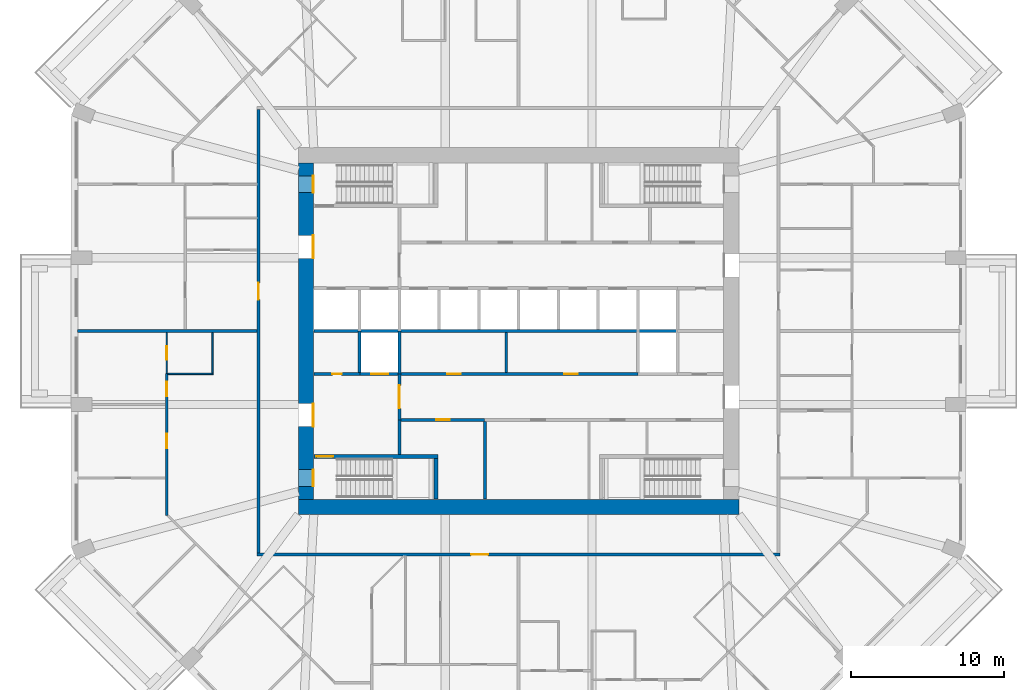
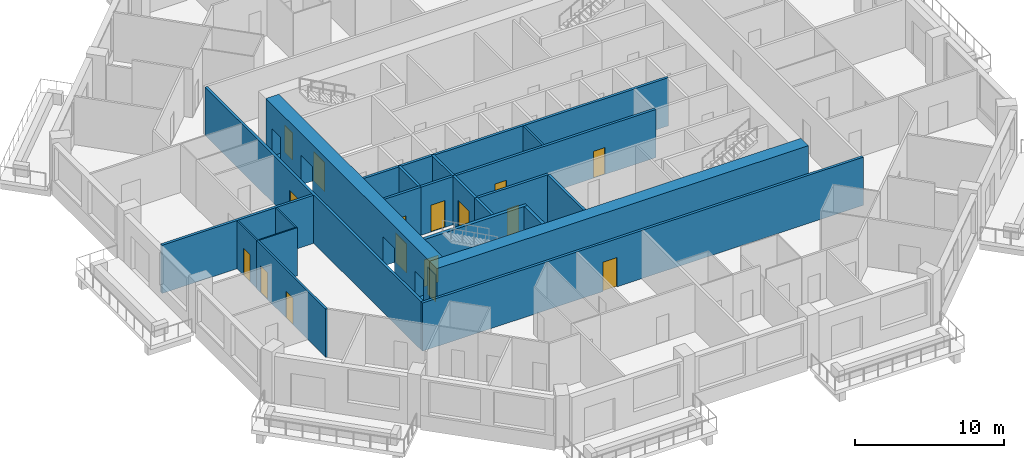
# One storey, part 4 of 13: 22 walls, 16 doors, 16 openings.
"""IFC4 building model written with IfcOpenShell, lengths in metres."""

from ifc_helpers import new_model, si_unit, direction, frame, frame_2d, origin, place, context, subcontext, project, spatial, rectangle, extrude, material, layer, layer_set, type_object, element, fill, save


model = new_model("IFC4")

# Units and contexts
model_context = context("Model", 3, precision=1e-05, world=origin(), true_north=direction((0.0, 1.0)))
body_context = subcontext(model_context, "Body", "Model", "MODEL_VIEW")
ifc_project = project(units=[si_unit("LENGTHUNIT", "METRE"), si_unit("AREAUNIT", "SQUARE_METRE"), si_unit("VOLUMEUNIT", "CUBIC_METRE"), si_unit("PLANEANGLEUNIT", "RADIAN"), si_unit("MASSUNIT", "GRAM", prefix="KILO")], contexts=[model_context])

# Site, building, storey
site_placement = place(None, origin())
site = spatial("IfcSite", under=ifc_project, at=site_placement, CompositionType="ELEMENT")
building_placement = place(site_placement, origin())
building = spatial("IfcBuilding", under=site, at=building_placement, Name="Msitu Wima Residences", CompositionType="ELEMENT")
storey_placement = place(building_placement, frame((0.0, 0.0, 46.5)))
storey = spatial("IfcBuildingStorey", under=building, at=storey_placement, Name="L10", CompositionType="ELEMENT", Elevation=46.5)

# Wall
ifc_material_1 = material(Name="Concrete C80/95", Category="concrete")
ifc_layer_1 = layer(ifc_material_1, 1.0)
ifc_layer_set_1 = layer_set([ifc_layer_1], Name="Concrete C80/95")
wall_type_1 = type_object("IfcWallType", Name="Core wall CW1000 C80/95", PredefinedType="SHEAR", material=ifc_layer_set_1)
wall_1_placement = place(storey_placement, frame((-14.39990234375, -11.5, 0.0), z_axis=(0.0, 0.0, 1.0), x_axis=(1.0, 0.0, 0.0)))
element("IfcWall", 1, at=wall_1_placement, inside=storey, type_object=wall_type_1, Name="Core wall", PredefinedType="SHEAR", context=body_context, shape_type="SweptSolid", body=[
    extrude(rectangle(XDim=28.7998046875, YDim=1.0, at=frame_2d((14.39990234375, 0.0))), origin(), (0.0, 0.0, 1.0), 4.199951171875),
])

# Wall, openings, doors
wall_2_placement = place(storey_placement, frame((-13.89990234375, -11.0, 0.0), z_axis=(0.0, 0.0, 1.0), x_axis=(0.0, 1.0, 0.0)))
wall_2 = element("IfcWall", 2, at=wall_2_placement, inside=storey, type_object=wall_type_1, Name="Core wall", PredefinedType="SHEAR", context=body_context, shape_type="SweptSolid", body=[
    extrude(rectangle(XDim=22.0, YDim=1.0, at=frame_2d((11.0, 0.0))), origin(), (0.0, 0.0, 1.0), 4.199951171875),
])
opening_1_placement = place(wall_2_placement, frame((20.050048828125, 0.0, 0.0)))
opening_1 = element("IfcOpeningElement", 3, at=opening_1_placement, cuts=wall_2, Name="Opening D08-10.035", PredefinedType="OPENING", context=body_context, shape_type="SweptSolid", body=[
    extrude(rectangle(XDim=1.10009765625, YDim=2.199951171875, at=frame_2d((0.550048828125, 1.10009765625))), frame((0.0, 0.510009765625, 0.0), z_axis=(0.0, -1.0, 0.0), x_axis=(1.0, 0.0, 0.0)), (0.0, 0.0, 1.0), 1.02001953125),
])
opening_2_placement = place(wall_2_placement, frame((0.85009765625, 0.0, 0.0)))
opening_2 = element("IfcOpeningElement", 4, at=opening_2_placement, cuts=wall_2, Name="Opening D08-10.037", PredefinedType="OPENING", context=body_context, shape_type="SweptSolid", body=[
    extrude(rectangle(XDim=1.10009765625, YDim=2.199951171875, at=frame_2d((0.550048828125, 1.10009765625))), frame((0.0, 0.510009765625, 0.0), z_axis=(0.0, -1.0, 0.0), x_axis=(1.0, 0.0, 0.0)), (0.0, 0.0, 1.0), 1.02001953125),
])
opening_3_placement = place(wall_2_placement, frame((15.75, 0.0, 0.0)))
opening_3 = element("IfcOpeningElement", 5, at=opening_3_placement, cuts=wall_2, Name="Opening D08-10.016", PredefinedType="OPENING", context=body_context, shape_type="SweptSolid", body=[
    extrude(rectangle(XDim=1.5, YDim=2.39990234375, at=frame_2d((0.75, 1.199951171875))), frame((0.0, 0.510009765625, 0.0), z_axis=(0.0, -1.0, 0.0), x_axis=(1.0, 0.0, 0.0)), (0.0, 0.0, 1.0), 1.02001953125),
])
opening_4_placement = place(wall_2_placement, frame((4.75, 0.0, 0.0)))
opening_4 = element("IfcOpeningElement", 6, at=opening_4_placement, cuts=wall_2, Name="Opening D08-10.018", PredefinedType="OPENING", context=body_context, shape_type="SweptSolid", body=[
    extrude(rectangle(XDim=1.5, YDim=2.39990234375, at=frame_2d((0.75, 1.199951171875))), frame((0.0, 0.510009765625, 0.0), z_axis=(0.0, -1.0, 0.0), x_axis=(1.0, 0.0, 0.0)), (0.0, 0.0, 1.0), 1.02001953125),
])
ifc_material_2 = material(Name="Steel framed glazed door, fire resisting", Category="steel")
door_type_1 = type_object("IfcDoorType", Name="Lobby door D07 1500x2400", OperationType="DOUBLE_DOOR_SINGLE_SWING", PredefinedType="DOOR", material=ifc_material_2)
door_1_placement = place(opening_3_placement, origin())
door_1 = element("IfcDoor", 7, at=door_1_placement, inside=storey, type_object=door_type_1, Name="Lobby door", OperationType="DOUBLE_DOOR_SINGLE_SWING", OverallHeight=2.39990234375, OverallWidth=1.5, PredefinedType="DOOR", context=body_context, shape_type="SweptSolid", body=[
    extrude(rectangle(XDim=1.5, YDim=2.39990234375, at=frame_2d((0.75, 1.199951171875))), frame((0.0, -0.44482421875, 0.0), z_axis=(0.0, -1.0, 0.0), x_axis=(1.0, 0.0, 0.0)), (0.0, 0.0, 1.0), 0.050048828125),
])
fill(opening_3, door_1)
door_2_placement = place(opening_4_placement, origin())
door_2 = element("IfcDoor", 8, at=door_2_placement, inside=storey, type_object=door_type_1, Name="Lobby door", OperationType="DOUBLE_DOOR_SINGLE_SWING", OverallHeight=2.39990234375, OverallWidth=1.5, PredefinedType="DOOR", context=body_context, shape_type="SweptSolid", body=[
    extrude(rectangle(XDim=1.5, YDim=2.39990234375, at=frame_2d((0.75, 1.199951171875))), frame((0.0, -0.44482421875, 0.0), z_axis=(0.0, -1.0, 0.0), x_axis=(1.0, 0.0, 0.0)), (0.0, 0.0, 1.0), 0.050048828125),
])
fill(opening_4, door_2)
ifc_material_3 = material(Name="Steel door, fire resisting, panic bar", Category="steel")
door_type_2 = type_object("IfcDoorType", Name="Stair door D06 1100x2200", OperationType="SINGLE_SWING_LEFT", PredefinedType="DOOR", material=ifc_material_3)
door_3_placement = place(opening_1_placement, origin())
door_3 = element("IfcDoor", 9, at=door_3_placement, inside=storey, type_object=door_type_2, Name="Stair door", OperationType="SINGLE_SWING_RIGHT", OverallHeight=2.199951171875, OverallWidth=1.10009765625, PredefinedType="DOOR", context=body_context, shape_type="SweptSolid", body=[
    extrude(rectangle(XDim=1.10009765625, YDim=2.199951171875, at=frame_2d((0.550048828125, 1.10009765625))), frame((0.0, -0.44482421875, 0.0), z_axis=(0.0, -1.0, 0.0), x_axis=(1.0, 0.0, 0.0)), (0.0, 0.0, 1.0), 0.050048828125),
])
fill(opening_1, door_3)
door_4_placement = place(opening_2_placement, origin())
door_4 = element("IfcDoor", 10, at=door_4_placement, inside=storey, type_object=door_type_2, Name="Stair door", OperationType="SINGLE_SWING_LEFT", OverallHeight=2.199951171875, OverallWidth=1.10009765625, PredefinedType="DOOR", context=body_context, shape_type="SweptSolid", body=[
    extrude(rectangle(XDim=1.10009765625, YDim=2.199951171875, at=frame_2d((0.550048828125, 1.10009765625))), frame((0.0, -0.44482421875, 0.0), z_axis=(0.0, -1.0, 0.0), x_axis=(1.0, 0.0, 0.0)), (0.0, 0.0, 1.0), 0.050048828125),
])
fill(opening_2, door_4)

# Wall, opening, door
ifc_material_4 = material(Name="Plaster")
ifc_layer_2 = layer(ifc_material_4, 0.011962890625, Name="Plaster")
ifc_material_5 = material(Name="Concrete blockwork", Category="masonry")
ifc_layer_3 = layer(ifc_material_5, 0.176025390625, Name="Concrete blockwork")
ifc_layer_4 = layer(ifc_material_4, 0.011962890625, Name="Plaster")
ifc_layer_set_2 = layer_set([ifc_layer_2, ifc_layer_3, ifc_layer_4], Name="Concrete blockwork")
wall_type_2 = type_object("IfcWallType", Name="Corridor wall FW200", PredefinedType="PARTITIONING", material=ifc_layer_set_2)
wall_3_placement = place(storey_placement, frame((-17.0, -14.5, 0.0), z_axis=(0.0, 0.0, 1.0), x_axis=(0.0, 1.0, 0.0)))
wall_3 = element("IfcWall", 11, at=wall_3_placement, inside=storey, type_object=wall_type_2, Name="Corridor wall", PredefinedType="PARTITIONING", context=body_context, shape_type="SweptSolid", body=[
    extrude(rectangle(XDim=29.0, YDim=0.199951171875, at=frame_2d((14.5, 0.0))), origin(), (0.0, 0.0, 1.0), 3.949951171875),
])
opening_5_placement = place(wall_3_placement, frame((16.550048828125, 0.0, 0.0)))
opening_5 = element("IfcOpeningElement", 12, at=opening_5_placement, cuts=wall_3, Name="Opening D08-10.012", PredefinedType="OPENING", context=body_context, shape_type="SweptSolid", body=[
    extrude(rectangle(XDim=1.10009765625, YDim=2.39990234375, at=frame_2d((0.550048828125, 1.199951171875))), frame((0.0, 0.10986328125, 0.0), z_axis=(0.0, -1.0, 0.0), x_axis=(1.0, 0.0, 0.0)), (0.0, 0.0, 1.0), 0.219970703125),
])
ifc_material_6 = material(Name="Timber flush door, fire resisting, self-closing", Category="wood")
door_type_3 = type_object("IfcDoorType", Name="Flat entrance door D01 1100x2400", OperationType="SINGLE_SWING_LEFT", PredefinedType="DOOR", material=ifc_material_6)
door_5_placement = place(opening_5_placement, origin())
door_5 = element("IfcDoor", 13, at=door_5_placement, inside=storey, type_object=door_type_3, Name="Flat entrance door", OperationType="SINGLE_SWING_LEFT", OverallHeight=2.39990234375, OverallWidth=1.10009765625, PredefinedType="DOOR", context=body_context, shape_type="SweptSolid", body=[
    extrude(rectangle(XDim=1.10009765625, YDim=2.39990234375, at=frame_2d((0.550048828125, 1.199951171875))), frame((0.0, 0.02490234375, 0.0), z_axis=(0.0, -1.0, 0.0), x_axis=(1.0, 0.0, 0.0)), (0.0, 0.0, 1.0), 0.050048828125),
])
fill(opening_5, door_5)

wall_4_placement = place(storey_placement, frame((-17.10009765625, -14.60009765625, 0.0), z_axis=(0.0, 0.0, 1.0), x_axis=(1.0, 0.0, 0.0)))
wall_4 = element("IfcWall", 14, at=wall_4_placement, inside=storey, type_object=wall_type_2, Name="Corridor wall", PredefinedType="PARTITIONING", context=body_context, shape_type="SweptSolid", body=[
    extrude(rectangle(XDim=34.2001953125, YDim=0.199951171875, at=frame_2d((17.10009765625, 0.0))), origin(), (0.0, 0.0, 1.0), 3.949951171875),
])
opening_6_placement = place(wall_4_placement, frame((14.0, 0.0, 0.0)))
opening_6 = element("IfcOpeningElement", 15, at=opening_6_placement, cuts=wall_4, Name="Opening D08-10.013", PredefinedType="OPENING", context=body_context, shape_type="SweptSolid", body=[
    extrude(rectangle(XDim=1.10009765625, YDim=2.39990234375, at=frame_2d((0.550048828125, 1.199951171875))), frame((0.0, 0.10986328125, 0.0), z_axis=(0.0, -1.0, 0.0), x_axis=(1.0, 0.0, 0.0)), (0.0, 0.0, 1.0), 0.219970703125),
])
door_6_placement = place(opening_6_placement, origin())
door_6 = element("IfcDoor", 16, at=door_6_placement, inside=storey, type_object=door_type_3, Name="Flat entrance door", OperationType="SINGLE_SWING_LEFT", OverallHeight=2.39990234375, OverallWidth=1.10009765625, PredefinedType="DOOR", context=body_context, shape_type="SweptSolid", body=[
    extrude(rectangle(XDim=1.10009765625, YDim=2.39990234375, at=frame_2d((0.550048828125, 1.199951171875))), frame((0.0, 0.02490234375, 0.0), z_axis=(0.0, -1.0, 0.0), x_axis=(1.0, 0.0, 0.0)), (0.0, 0.0, 1.0), 0.050048828125),
])
fill(opening_6, door_6)

# Wall, openings, doors
wall_5_placement = place(storey_placement, frame((-7.820068359375, -2.800048828125, 0.0), z_axis=(0.0, 0.0, 1.0), x_axis=(1.0, 0.0, 0.0)))
wall_5 = element("IfcWall", 17, at=wall_5_placement, inside=storey, type_object=wall_type_2, Name="Corridor wall", PredefinedType="PARTITIONING", context=body_context, shape_type="SweptSolid", body=[
    extrude(rectangle(XDim=15.64013671875, YDim=0.199951171875, at=frame_2d((7.820068359375, 0.0))), origin(), (0.0, 0.0, 1.0), 3.949951171875),
])
opening_7_placement = place(wall_5_placement, frame((3.14990234375, 0.0, 0.0)))
opening_7 = element("IfcOpeningElement", 18, at=opening_7_placement, cuts=wall_5, Name="Opening D08-10.033", PredefinedType="OPENING", context=body_context, shape_type="SweptSolid", body=[
    extrude(rectangle(XDim=0.89990234375, YDim=2.199951171875, at=frame_2d((0.449951171875, 1.10009765625))), frame((0.0, 0.10986328125, 0.0), z_axis=(0.0, -1.0, 0.0), x_axis=(1.0, 0.0, 0.0)), (0.0, 0.0, 1.0), 0.219970703125),
])
opening_8_placement = place(wall_5_placement, frame((10.800048828125, 0.0, 0.0)))
opening_8 = element("IfcOpeningElement", 19, at=opening_8_placement, cuts=wall_5, Name="Opening D08-10.034", PredefinedType="OPENING", context=body_context, shape_type="SweptSolid", body=[
    extrude(rectangle(XDim=0.89990234375, YDim=2.199951171875, at=frame_2d((0.449951171875, 1.10009765625))), frame((0.0, 0.10986328125, 0.0), z_axis=(0.0, -1.0, 0.0), x_axis=(1.0, 0.0, 0.0)), (0.0, 0.0, 1.0), 0.219970703125),
])
ifc_material_7 = material(Name="Timber flush door", Category="wood")
door_type_4 = type_object("IfcDoorType", Name="Service door D05 900x2200", OperationType="SINGLE_SWING_LEFT", PredefinedType="DOOR", material=ifc_material_7)
door_7_placement = place(opening_7_placement, origin())
door_7 = element("IfcDoor", 20, at=door_7_placement, inside=storey, type_object=door_type_4, Name="Service door", OperationType="SINGLE_SWING_RIGHT", OverallHeight=2.199951171875, OverallWidth=0.89990234375, PredefinedType="DOOR", context=body_context, shape_type="SweptSolid", body=[
    extrude(rectangle(XDim=0.89990234375, YDim=2.199951171875, at=frame_2d((0.449951171875, 1.10009765625))), frame((0.0, 0.02490234375, 0.0), z_axis=(0.0, -1.0, 0.0), x_axis=(1.0, 0.0, 0.0)), (0.0, 0.0, 1.0), 0.050048828125),
])
fill(opening_7, door_7)
door_8_placement = place(opening_8_placement, origin())
door_8 = element("IfcDoor", 21, at=door_8_placement, inside=storey, type_object=door_type_4, Name="Service door", OperationType="SINGLE_SWING_RIGHT", OverallHeight=2.199951171875, OverallWidth=0.89990234375, PredefinedType="DOOR", context=body_context, shape_type="SweptSolid", body=[
    extrude(rectangle(XDim=0.89990234375, YDim=2.199951171875, at=frame_2d((0.449951171875, 1.10009765625))), frame((0.0, 0.02490234375, 0.0), z_axis=(0.0, -1.0, 0.0), x_axis=(1.0, 0.0, 0.0)), (0.0, 0.0, 1.0), 0.050048828125),
])
fill(opening_8, door_8)

# Wall, opening, door
wall_6_placement = place(storey_placement, frame((-7.800048828125, -5.800048828125, 0.0), z_axis=(0.0, 0.0, 1.0), x_axis=(0.0, 1.0, 0.0)))
wall_6 = element("IfcWall", 22, at=wall_6_placement, inside=storey, type_object=wall_type_2, Name="Corridor wall", PredefinedType="PARTITIONING", context=body_context, shape_type="SweptSolid", body=[
    extrude(rectangle(XDim=3.0, YDim=0.199951171875, at=frame_2d((1.5, 0.0))), origin(), (0.0, 0.0, 1.0), 3.949951171875),
])
opening_9_placement = place(wall_6_placement, frame((0.75, 0.0, 0.0)))
opening_9 = element("IfcOpeningElement", 23, at=opening_9_placement, cuts=wall_6, Name="Opening D08-10.019", PredefinedType="OPENING", context=body_context, shape_type="SweptSolid", body=[
    extrude(rectangle(XDim=1.5, YDim=2.39990234375, at=frame_2d((0.75, 1.199951171875))), frame((0.0, 0.10986328125, 0.0), z_axis=(0.0, -1.0, 0.0), x_axis=(1.0, 0.0, 0.0)), (0.0, 0.0, 1.0), 0.219970703125),
])
door_9_placement = place(opening_9_placement, origin())
door_9 = element("IfcDoor", 24, at=door_9_placement, inside=storey, type_object=door_type_1, Name="Lobby door", OperationType="DOUBLE_DOOR_SINGLE_SWING", OverallHeight=2.39990234375, OverallWidth=1.5, PredefinedType="DOOR", context=body_context, shape_type="SweptSolid", body=[
    extrude(rectangle(XDim=1.5, YDim=2.39990234375, at=frame_2d((0.75, 1.199951171875))), frame((0.0, 0.02490234375, 0.0), z_axis=(0.0, -1.0, 0.0), x_axis=(1.0, 0.0, 0.0)), (0.0, 0.0, 1.0), 0.050048828125),
])
fill(opening_9, door_9)

# Wall, openings, doors
ifc_layer_5 = layer(ifc_material_4, 0.011962890625, Name="Plaster")
ifc_layer_6 = layer(ifc_material_5, 0.1259765625, Name="Concrete blockwork")
ifc_layer_7 = layer(ifc_material_4, 0.011962890625, Name="Plaster")
ifc_layer_set_3 = layer_set([ifc_layer_5, ifc_layer_6, ifc_layer_7], Name="Concrete blockwork")
wall_type_3 = type_object("IfcWallType", Name="Partition PW150", PredefinedType="PARTITIONING", material=ifc_layer_set_3)
wall_7_placement = place(storey_placement, frame((-23.0, -12.072509765625, 0.0), z_axis=(0.0, 0.0, 1.0), x_axis=(0.0, 1.0, 0.0)))
wall_7 = element("IfcWall", 25, at=wall_7_placement, inside=storey, type_object=wall_type_3, Name="Partition", PredefinedType="PARTITIONING", context=body_context, shape_type="SweptSolid", body=[
    extrude(rectangle(XDim=9.29248046875, YDim=0.14990234375, at=frame_2d((4.646240234375, 0.0))), origin(), (0.0, 0.0, 1.0), 3.949951171875),
])
opening_10_placement = place(wall_7_placement, frame((4.39990234375, 0.0, 0.0)))
opening_10 = element("IfcOpeningElement", 26, at=opening_10_placement, cuts=wall_7, Name="Opening D08-10.062", PredefinedType="OPENING", context=body_context, shape_type="SweptSolid", body=[
    extrude(rectangle(XDim=0.949951171875, YDim=2.199951171875, at=frame_2d((0.47509765625, 1.10009765625))), frame((0.0, 0.0849609375, 0.0), z_axis=(0.0, -1.0, 0.0), x_axis=(1.0, 0.0, 0.0)), (0.0, 0.0, 1.0), 0.169921875),
])
opening_11_placement = place(wall_7_placement, frame((7.800048828125, 0.0, 0.0)))
opening_11 = element("IfcOpeningElement", 27, at=opening_11_placement, cuts=wall_7, Name="Opening D08-10.067", PredefinedType="OPENING", context=body_context, shape_type="SweptSolid", body=[
    extrude(rectangle(XDim=0.949951171875, YDim=2.199951171875, at=frame_2d((0.47509765625, 1.10009765625))), frame((0.0, 0.0849609375, 0.0), z_axis=(0.0, -1.0, 0.0), x_axis=(1.0, 0.0, 0.0)), (0.0, 0.0, 1.0), 0.169921875),
])
door_type_5 = type_object("IfcDoorType", Name="Room door D12 950x2200", OperationType="SINGLE_SWING_LEFT", PredefinedType="DOOR", material=ifc_material_7)
door_10_placement = place(opening_10_placement, origin())
door_10 = element("IfcDoor", 28, at=door_10_placement, inside=storey, type_object=door_type_5, Name="Room door", OperationType="SINGLE_SWING_RIGHT", OverallHeight=2.199951171875, OverallWidth=0.949951171875, PredefinedType="DOOR", context=body_context, shape_type="SweptSolid", body=[
    extrude(rectangle(XDim=0.949951171875, YDim=2.199951171875, at=frame_2d((0.47509765625, 1.10009765625))), frame((0.0, 0.02490234375, 0.0), z_axis=(0.0, -1.0, 0.0), x_axis=(1.0, 0.0, 0.0)), (0.0, 0.0, 1.0), 0.050048828125),
])
fill(opening_10, door_10)
door_11_placement = place(opening_11_placement, origin())
door_11 = element("IfcDoor", 29, at=door_11_placement, inside=storey, type_object=door_type_5, Name="Room door", OperationType="SINGLE_SWING_LEFT", OverallHeight=2.199951171875, OverallWidth=0.949951171875, PredefinedType="DOOR", context=body_context, shape_type="SweptSolid", body=[
    extrude(rectangle(XDim=0.949951171875, YDim=2.199951171875, at=frame_2d((0.47509765625, 1.10009765625))), frame((0.0, 0.02490234375, 0.0), z_axis=(0.0, -1.0, 0.0), x_axis=(1.0, 0.0, 0.0)), (0.0, 0.0, 1.0), 0.050048828125),
])
fill(opening_11, door_11)

# Walls
wall_8_placement = place(storey_placement, frame((-0.800048828125, -2.699951171875, 0.0), z_axis=(0.0, 0.0, 1.0), x_axis=(0.0, 1.0, 0.0)))
element("IfcWall", 30, at=wall_8_placement, inside=storey, type_object=wall_type_3, Name="Partition", PredefinedType="PARTITIONING", context=body_context, shape_type="SweptSolid", body=[
    extrude(rectangle(XDim=2.599853515625, YDim=0.14990234375, at=frame_2d((1.2998046875, 0.0))), origin(), (0.0, 0.0, 1.0), 3.949951171875),
])
ifc_layer_8 = layer(ifc_material_4, 0.011962890625, Name="Plaster")
ifc_material_8 = material(Name="Dense concrete blockwork", Category="masonry")
ifc_layer_9 = layer(ifc_material_8, 0.176025390625, Name="Dense concrete blockwork")
ifc_layer_10 = layer(ifc_material_4, 0.011962890625, Name="Plaster")
ifc_layer_set_4 = layer_set([ifc_layer_8, ifc_layer_9, ifc_layer_10], Name="Dense concrete blockwork")
wall_type_4 = type_object("IfcWallType", Name="Party wall PW200", PredefinedType="PARTITIONING", material=ifc_layer_set_4)
wall_9_placement = place(storey_placement, frame((-28.85498046875, 0.0, 0.0), z_axis=(0.0, 0.0, 1.0), x_axis=(1.0, 0.0, 0.0)))
element("IfcWall", 31, at=wall_9_placement, inside=storey, type_object=wall_type_4, Name="Party wall", PredefinedType="PARTITIONING", context=body_context, shape_type="SweptSolid", body=[
    extrude(rectangle(XDim=11.7548828125, YDim=0.199951171875, at=frame_2d((5.87744140625, 0.0))), origin(), (0.0, 0.0, 1.0), 3.949951171875),
])

# Wall, opening, door
ifc_layer_11 = layer(ifc_material_4, 0.011962890625, Name="Plaster")
ifc_material_9 = material(Name="Reinforced concrete blockwork", Category="masonry")
ifc_layer_12 = layer(ifc_material_9, 0.176025390625, Name="Reinforced concrete blockwork")
ifc_layer_13 = layer(ifc_material_4, 0.011962890625, Name="Plaster")
ifc_layer_set_5 = layer_set([ifc_layer_11, ifc_layer_12, ifc_layer_13], Name="Reinforced concrete blockwork")
wall_type_5 = type_object("IfcWallType", Name="Plant and riser wall PL200", PredefinedType="PARTITIONING", material=ifc_layer_set_5)
wall_10_placement = place(storey_placement, frame((-13.3701171875, -2.800048828125, 0.0), z_axis=(0.0, 0.0, 1.0), x_axis=(1.0, 0.0, 0.0)))
wall_10 = element("IfcWall", 32, at=wall_10_placement, inside=storey, type_object=wall_type_5, Name="Plant and riser wall", PredefinedType="PARTITIONING", context=body_context, shape_type="SweptSolid", body=[
    extrude(rectangle(XDim=2.990234375, YDim=0.199951171875, at=frame_2d((1.4951171875, 0.0))), origin(), (0.0, 0.0, 1.0), 3.949951171875),
])
opening_12_placement = place(wall_10_placement, frame((1.199951171875, 0.0, 0.0)))
opening_12 = element("IfcOpeningElement", 33, at=opening_12_placement, cuts=wall_10, Name="Opening D08-10.032", PredefinedType="OPENING", context=body_context, shape_type="SweptSolid", body=[
    extrude(rectangle(XDim=0.60009765625, YDim=2.0, at=frame_2d((0.300048828125, 1.0))), frame((0.0, 0.10986328125, 0.0), z_axis=(0.0, -1.0, 0.0), x_axis=(1.0, 0.0, 0.0)), (0.0, 0.0, 1.0), 0.219970703125),
])
ifc_material_10 = material(Name="Steel access door, fire resisting", Category="steel")
door_type_6 = type_object("IfcDoorType", Name="Riser access door D08 600x2000", OperationType="SINGLE_SWING_LEFT", PredefinedType="DOOR", material=ifc_material_10)
door_12_placement = place(opening_12_placement, origin())
door_12 = element("IfcDoor", 34, at=door_12_placement, inside=storey, type_object=door_type_6, Name="Riser access door", OperationType="SINGLE_SWING_RIGHT", OverallHeight=2.0, OverallWidth=0.60009765625, PredefinedType="DOOR", context=body_context, shape_type="SweptSolid", body=[
    extrude(rectangle(XDim=0.60009765625, YDim=2.0, at=frame_2d((0.300048828125, 1.0))), frame((0.0, 0.02490234375, 0.0), z_axis=(0.0, -1.0, 0.0), x_axis=(1.0, 0.0, 0.0)), (0.0, 0.0, 1.0), 0.050048828125),
])
fill(opening_12, door_12)

# Wall
wall_11_placement = place(storey_placement, frame((-7.800048828125, -8.074951171875, 0.0), z_axis=(0.0, 0.0, 1.0), x_axis=(0.0, 1.0, 0.0)))
element("IfcWall", 35, at=wall_11_placement, inside=storey, type_object=wall_type_5, Name="Plant and riser wall", PredefinedType="PARTITIONING", context=body_context, shape_type="SweptSolid", body=[
    extrude(rectangle(XDim=2.27490234375, YDim=0.199951171875, at=frame_2d((1.137451171875, 0.0))), origin(), (0.0, 0.0, 1.0), 3.949951171875),
])

# Wall, opening, door
wall_12_placement = place(storey_placement, frame((-7.699951171875, -5.800048828125, 0.0), z_axis=(0.0, 0.0, 1.0), x_axis=(1.0, 0.0, 0.0)))
wall_12 = element("IfcWall", 36, at=wall_12_placement, inside=storey, type_object=wall_type_5, Name="Plant and riser wall", PredefinedType="PARTITIONING", context=body_context, shape_type="SweptSolid", body=[
    extrude(rectangle(XDim=5.47998046875, YDim=0.199951171875, at=frame_2d((2.739990234375, 0.0))), origin(), (0.0, 0.0, 1.0), 3.949951171875),
])
opening_13_placement = place(wall_12_placement, frame((2.300048828125, 0.0, 0.0)))
opening_13 = element("IfcOpeningElement", 37, at=opening_13_placement, cuts=wall_12, Name="Opening D08-10.025", PredefinedType="OPENING", context=body_context, shape_type="SweptSolid", body=[
    extrude(rectangle(XDim=0.89990234375, YDim=2.199951171875, at=frame_2d((0.449951171875, 1.10009765625))), frame((0.0, 0.10986328125, 0.0), z_axis=(0.0, -1.0, 0.0), x_axis=(1.0, 0.0, 0.0)), (0.0, 0.0, 1.0), 0.219970703125),
])
door_13_placement = place(opening_13_placement, origin())
door_13 = element("IfcDoor", 38, at=door_13_placement, inside=storey, type_object=door_type_4, Name="Service door", OperationType="SINGLE_SWING_LEFT", OverallHeight=2.199951171875, OverallWidth=0.89990234375, PredefinedType="DOOR", context=body_context, shape_type="SweptSolid", body=[
    extrude(rectangle(XDim=0.89990234375, YDim=2.199951171875, at=frame_2d((0.449951171875, 1.10009765625))), frame((0.0, 0.02490234375, 0.0), z_axis=(0.0, -1.0, 0.0), x_axis=(1.0, 0.0, 0.0)), (0.0, 0.0, 1.0), 0.050048828125),
])
fill(opening_13, door_13)

# Walls
wall_13_placement = place(storey_placement, frame((-2.199951171875, -10.969970703125, 0.0), z_axis=(0.0, 0.0, 1.0), x_axis=(0.0, 1.0, 0.0)))
element("IfcWall", 39, at=wall_13_placement, inside=storey, type_object=wall_type_5, Name="Plant and riser wall", PredefinedType="PARTITIONING", context=body_context, shape_type="SweptSolid", body=[
    extrude(rectangle(XDim=5.070068359375, YDim=0.199951171875, at=frame_2d((2.53515625, 0.0))), origin(), (0.0, 0.0, 1.0), 3.949951171875),
])
ifc_material_11 = material(Name="Fire-rated board")
ifc_layer_14 = layer(ifc_material_11, 0.02490234375, Name="Fire-rated board")
ifc_material_12 = material(Name="Light-gauge stud framing with mineral wool")
ifc_layer_15 = layer(ifc_material_12, 0.14990234375, Name="Light-gauge stud framing with mineral wool")
ifc_layer_16 = layer(ifc_material_11, 0.02490234375, Name="Fire-rated board")
ifc_layer_set_6 = layer_set([ifc_layer_14, ifc_layer_15, ifc_layer_16], Name="Light-gauge stud framing with mineral wool")
wall_type_6 = type_object("IfcWallType", Name="Shaft wall SH200", PredefinedType="PARTITIONING", material=ifc_layer_set_6)
wall_14_placement = place(storey_placement, frame((-13.3701171875, 0.0, 0.0), z_axis=(0.0, 0.0, 1.0), x_axis=(1.0, 0.0, 0.0)))
element("IfcWall", 40, at=wall_14_placement, inside=storey, type_object=wall_type_6, Name="Shaft wall", PredefinedType="PARTITIONING", context=body_context, shape_type="SweptSolid", body=[
    extrude(rectangle(XDim=23.77001953125, YDim=0.199951171875, at=frame_2d((11.885009765625, 0.0))), origin(), (0.0, 0.0, 1.0), 3.949951171875),
])
wall_15_placement = place(storey_placement, frame((-10.39990234375, -2.699951171875, 0.0), z_axis=(0.0, 0.0, 1.0), x_axis=(0.0, 1.0, 0.0)))
element("IfcWall", 41, at=wall_15_placement, inside=storey, type_object=wall_type_6, Name="Shaft wall", PredefinedType="PARTITIONING", context=body_context, shape_type="SweptSolid", body=[
    extrude(rectangle(XDim=2.699951171875, YDim=0.199951171875, at=frame_2d((1.35009765625, 0.0))), origin(), (0.0, 0.0, 1.0), 3.949951171875),
])

# Wall, opening, door
wall_16_placement = place(storey_placement, frame((-10.3798828125, -2.800048828125, 0.0), z_axis=(0.0, 0.0, 1.0), x_axis=(1.0, 0.0, 0.0)))
wall_16 = element("IfcWall", 42, at=wall_16_placement, inside=storey, type_object=wall_type_6, Name="Shaft wall", PredefinedType="PARTITIONING", context=body_context, shape_type="SweptSolid", body=[
    extrude(rectangle(XDim=2.559814453125, YDim=0.199951171875, at=frame_2d((1.27978515625, 0.0))), origin(), (0.0, 0.0, 1.0), 3.949951171875),
])
opening_14_placement = place(wall_16_placement, frame((0.75, 0.0, 0.0)))
opening_14 = element("IfcOpeningElement", 43, at=opening_14_placement, cuts=wall_16, Name="Opening LD", PredefinedType="OPENING", context=body_context, shape_type="SweptSolid", body=[
    extrude(rectangle(XDim=1.10009765625, YDim=2.199951171875, at=frame_2d((0.550048828125, 1.10009765625))), frame((0.0, 0.10986328125, 0.0), z_axis=(0.0, -1.0, 0.0), x_axis=(1.0, 0.0, 0.0)), (0.0, 0.0, 1.0), 0.219970703125),
])
ifc_material_13 = material(Name="Stainless steel centre-opening landing door, rated", Category="steel")
door_type_7 = type_object("IfcDoorType", Name="Lift landing door LD 1100x2200", OperationType="DOUBLE_DOOR_SLIDING", PredefinedType="DOOR", material=ifc_material_13)
door_14_placement = place(opening_14_placement, origin())
door_14 = element("IfcDoor", 44, at=door_14_placement, inside=storey, type_object=door_type_7, Name="Lift landing door LD3", OperationType="DOUBLE_DOOR_SLIDING", OverallHeight=2.199951171875, OverallWidth=1.10009765625, PredefinedType="DOOR", context=body_context, shape_type="SweptSolid", body=[
    extrude(rectangle(XDim=1.10009765625, YDim=2.199951171875, at=frame_2d((0.550048828125, 1.10009765625))), frame((0.0, 0.02490234375, 0.0), z_axis=(0.0, -1.0, 0.0), x_axis=(1.0, 0.0, 0.0)), (0.0, 0.0, 1.0), 0.050048828125),
])
fill(opening_14, door_14)

# Wall
wall_17_placement = place(storey_placement, frame((-7.800048828125, -2.800048828125, 0.0), z_axis=(0.0, 0.0, 1.0), x_axis=(0.0, 1.0, 0.0)))
element("IfcWall", 45, at=wall_17_placement, inside=storey, type_object=wall_type_6, Name="Shaft wall", PredefinedType="PARTITIONING", context=body_context, shape_type="SweptSolid", body=[
    extrude(rectangle(XDim=2.800048828125, YDim=0.199951171875, at=frame_2d((1.39990234375, 0.0))), origin(), (0.0, 0.0, 1.0), 3.949951171875),
])

# Wall, opening, door
ifc_material_14 = material(Name="Concrete C50/60", Category="concrete")
ifc_layer_17 = layer(ifc_material_14, 0.25)
ifc_layer_set_7 = layer_set([ifc_layer_17], Name="Concrete C50/60")
wall_type_7 = type_object("IfcWallType", Name="Stair enclosure wall SW250", PredefinedType="SHEAR", material=ifc_layer_set_7)
wall_18_placement = place(storey_placement, frame((-13.3701171875, -8.199951171875, 0.0), z_axis=(0.0, 0.0, 1.0), x_axis=(1.0, 0.0, 0.0)))
wall_18 = element("IfcWall", 46, at=wall_18_placement, inside=storey, type_object=wall_type_7, Name="Stair enclosure wall", PredefinedType="SHEAR", context=body_context, shape_type="SweptSolid", body=[
    extrude(rectangle(XDim=8.09521484375, YDim=0.25, at=frame_2d((4.047607421875, 0.0))), origin(), (0.0, 0.0, 1.0), 3.949951171875),
])
opening_15_placement = place(wall_18_placement, frame((0.14990234375, 0.0, 0.0)))
opening_15 = element("IfcOpeningElement", 47, at=opening_15_placement, cuts=wall_18, Name="Opening D08-10.038", PredefinedType="OPENING", context=body_context, shape_type="SweptSolid", body=[
    extrude(rectangle(XDim=1.10009765625, YDim=2.199951171875, at=frame_2d((0.550048828125, 1.10009765625))), frame((0.0, 0.135009765625, 0.0), z_axis=(0.0, -1.0, 0.0), x_axis=(1.0, 0.0, 0.0)), (0.0, 0.0, 1.0), 0.27001953125),
])
door_15_placement = place(opening_15_placement, origin())
door_15 = element("IfcDoor", 48, at=door_15_placement, inside=storey, type_object=door_type_2, Name="Stair door", OperationType="SINGLE_SWING_RIGHT", OverallHeight=2.199951171875, OverallWidth=1.10009765625, PredefinedType="DOOR", context=body_context, shape_type="SweptSolid", body=[
    extrude(rectangle(XDim=1.10009765625, YDim=2.199951171875, at=frame_2d((0.550048828125, 1.10009765625))), frame((0.0, 0.02490234375, 0.0), z_axis=(0.0, -1.0, 0.0), x_axis=(1.0, 0.0, 0.0)), (0.0, 0.0, 1.0), 0.050048828125),
])
fill(opening_15, door_15)

# Wall
wall_19_placement = place(storey_placement, frame((-5.39990234375, -10.969970703125, 0.0), z_axis=(0.0, 0.0, 1.0), x_axis=(0.0, 1.0, 0.0)))
element("IfcWall", 49, at=wall_19_placement, inside=storey, type_object=wall_type_7, Name="Stair enclosure wall", PredefinedType="SHEAR", context=body_context, shape_type="SweptSolid", body=[
    extrude(rectangle(XDim=2.64501953125, YDim=0.25, at=frame_2d((1.322509765625, 0.0))), origin(), (0.0, 0.0, 1.0), 3.949951171875),
])

# Wall, opening, door
ifc_material_15 = material(Name="Ceramic tiles")
ifc_layer_18 = layer(ifc_material_15, 0.008056640625, Name="Ceramic tiles")
ifc_material_16 = material(Name="Moisture-resistant board")
ifc_layer_19 = layer(ifc_material_16, 0.012451171875, Name="Moisture-resistant board")
ifc_layer_20 = layer(ifc_material_12, 0.06689453125, Name="Light-gauge stud framing with mineral wool")
ifc_layer_21 = layer(ifc_material_16, 0.012451171875, Name="Moisture-resistant board")
ifc_layer_set_8 = layer_set([ifc_layer_18, ifc_layer_19, ifc_layer_20, ifc_layer_21], Name="Light-gauge stud framing with mineral wool")
wall_type_8 = type_object("IfcWallType", Name="Wet wall PW100", PredefinedType="PARTITIONING", material=ifc_layer_set_8)
wall_20_placement = place(storey_placement, frame((-23.0, -2.780029296875, 0.0), z_axis=(0.0, 0.0, 1.0), x_axis=(0.0, 1.0, 0.0)))
wall_20 = element("IfcWall", 50, at=wall_20_placement, inside=storey, type_object=wall_type_8, Name="Wet wall", PredefinedType="PARTITIONING", context=body_context, shape_type="SweptSolid", body=[
    extrude(rectangle(XDim=2.679931640625, YDim=0.10009765625, at=frame_2d((1.33984375, 0.0))), origin(), (0.0, 0.0, 1.0), 3.949951171875),
])
opening_16_placement = place(wall_20_placement, frame((0.89990234375, 0.0, 0.0)))
opening_16 = element("IfcOpeningElement", 51, at=opening_16_placement, cuts=wall_20, Name="Opening D08-10.068", PredefinedType="OPENING", context=body_context, shape_type="SweptSolid", body=[
    extrude(rectangle(XDim=0.89990234375, YDim=2.199951171875, at=frame_2d((0.449951171875, 1.10009765625))), frame((0.0, 0.06005859375, 0.0), z_axis=(0.0, -1.0, 0.0), x_axis=(1.0, 0.0, 0.0)), (0.0, 0.0, 1.0), 0.1201171875),
])
ifc_material_17 = material(Name="Timber flush door, moisture resistant", Category="wood")
door_type_8 = type_object("IfcDoorType", Name="Bathroom door D03 900x2200", OperationType="SINGLE_SWING_LEFT", PredefinedType="DOOR", material=ifc_material_17)
door_16_placement = place(opening_16_placement, origin())
door_16 = element("IfcDoor", 52, at=door_16_placement, inside=storey, type_object=door_type_8, Name="Bathroom door", OperationType="SINGLE_SWING_RIGHT", OverallHeight=2.199951171875, OverallWidth=0.89990234375, PredefinedType="DOOR", context=body_context, shape_type="SweptSolid", body=[
    extrude(rectangle(XDim=0.89990234375, YDim=2.199951171875, at=frame_2d((0.449951171875, 1.10009765625))), frame((0.0, 0.02490234375, 0.0), z_axis=(0.0, -1.0, 0.0), x_axis=(1.0, 0.0, 0.0)), (0.0, 0.0, 1.0), 0.050048828125),
])
fill(opening_16, door_16)

# Walls
wall_21_placement = place(storey_placement, frame((-22.925048828125, -2.800048828125, 0.0), z_axis=(0.0, 0.0, 1.0), x_axis=(1.0, 0.0, 0.0)))
element("IfcWall", 53, at=wall_21_placement, inside=storey, type_object=wall_type_8, Name="Wet wall", PredefinedType="PARTITIONING", context=body_context, shape_type="SweptSolid", body=[
    extrude(rectangle(XDim=2.97509765625, YDim=0.10009765625, at=frame_2d((1.487548828125, 0.0))), origin(), (0.0, 0.0, 1.0), 3.949951171875),
])
wall_22_placement = place(storey_placement, frame((-20.0, -2.75, 0.0), z_axis=(0.0, 0.0, 1.0), x_axis=(0.0, 1.0, 0.0)))
element("IfcWall", 54, at=wall_22_placement, inside=storey, type_object=wall_type_8, Name="Wet wall", PredefinedType="PARTITIONING", context=body_context, shape_type="SweptSolid", body=[
    extrude(rectangle(XDim=2.64990234375, YDim=0.10009765625, at=frame_2d((1.324951171875, 0.0))), origin(), (0.0, 0.0, 1.0), 3.949951171875),
])

save(model, "model.ifc")
